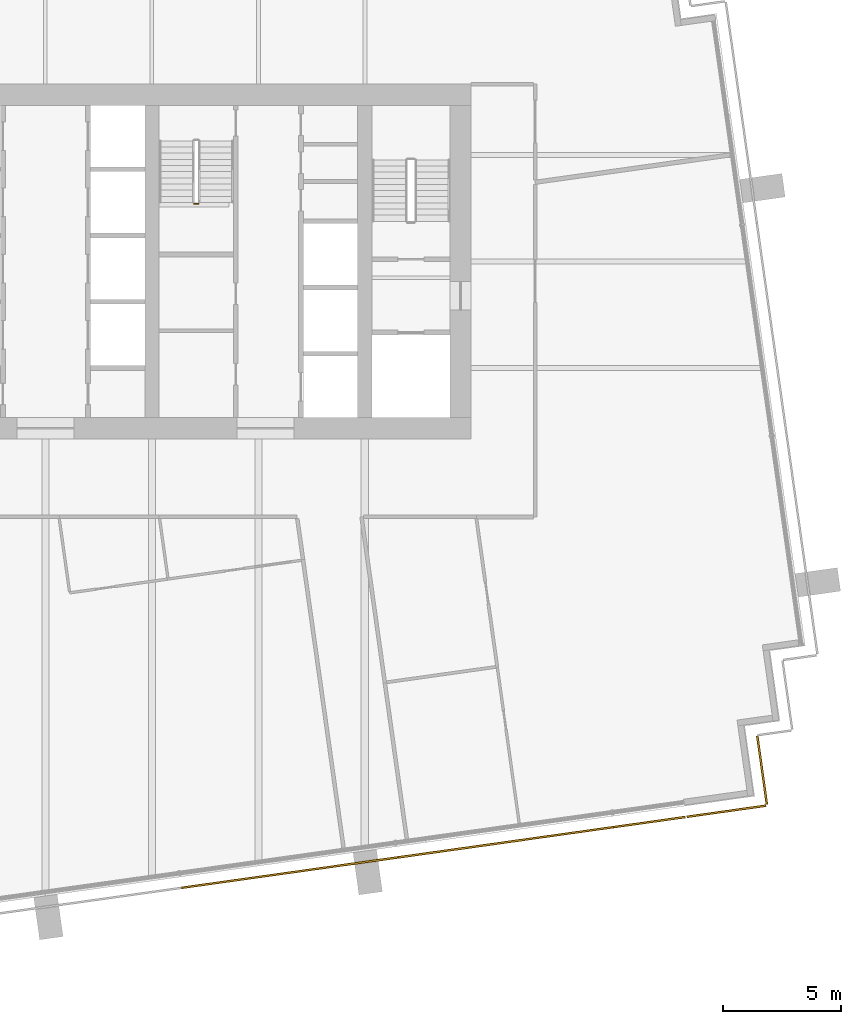
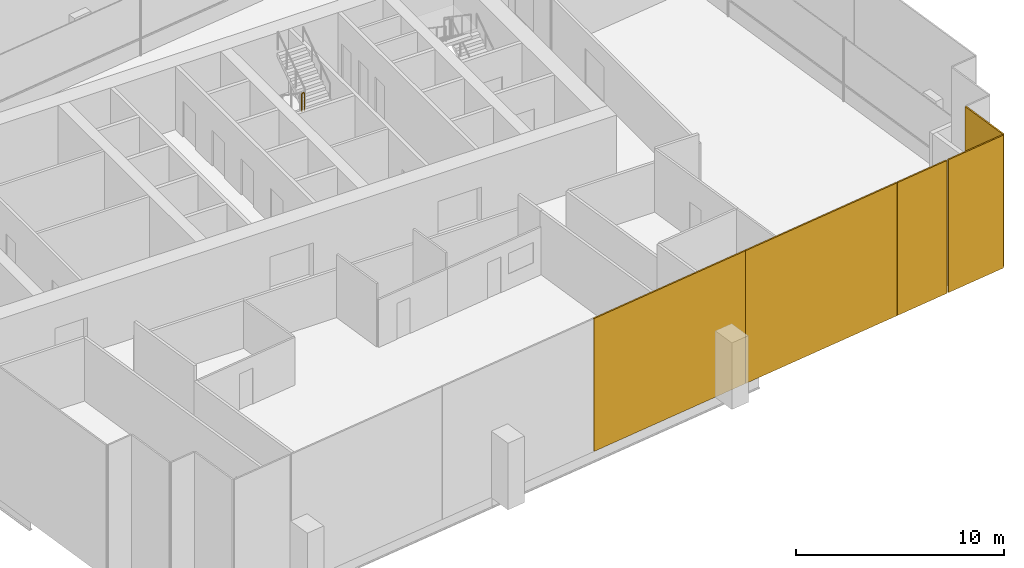
# One storey, part 14 of 17: 5 coverings, 1 railing.
"""IFC4 building model written with IfcOpenShell, lengths in metres."""

from ifc_helpers import new_model, si_unit, direction, frame, origin, origin_2d, place, context, subcontext, project, spatial, rectangle, extrude, material, layer, layer_set, type_object, element, save


model = new_model("IFC4")

# Units and contexts
model_context = context("Model", 3, precision=1e-05, world=origin(), true_north=direction((0.0, 1.0)))
body_context = subcontext(model_context, "Body", "Model", "MODEL_VIEW")
ifc_project = project(units=[si_unit("LENGTHUNIT", "METRE"), si_unit("AREAUNIT", "SQUARE_METRE"), si_unit("VOLUMEUNIT", "CUBIC_METRE"), si_unit("PLANEANGLEUNIT", "RADIAN"), si_unit("MASSUNIT", "GRAM", prefix="KILO")], contexts=[model_context])

# Site, building, storey
site_placement = place(None, origin())
site = spatial("IfcSite", under=ifc_project, at=site_placement, CompositionType="ELEMENT")
building_placement = place(site_placement, origin())
building = spatial("IfcBuilding", under=site, at=building_placement, Name="Rattan Terrace Tower", CompositionType="ELEMENT")
storey_placement = place(building_placement, frame((0.0, 0.0, 213.5)))
storey = spatial("IfcBuildingStorey", under=building, at=storey_placement, Name="L48", CompositionType="ELEMENT", Elevation=213.5)

# Railing
ifc_material_1 = material(Name="Powder-coated steel guard", Category="steel")
railing_type = type_object("IfcRailingType", Name="Core stair guard", PredefinedType="GUARDRAIL", material=ifc_material_1)
railing_placement = place(storey_placement, frame((6.300048828125, 2.449951171875, 1.949951171875)))
element("IfcRailing", 1, at=railing_placement, inside=storey, type_object=railing_type, Name="L48 S3 stair guard 2", PredefinedType="GUARDRAIL", context=body_context, shape_type="SweptSolid", body=[
    extrude(rectangle(XDim=0.048095703125, YDim=0.048095703125, at=origin_2d()), frame((0.0, 0.0, 1.076171875), z_axis=(1.0, 0.0, 0.0), x_axis=(0.0, 1.0, 0.0)), (0.0, 0.0, 1.0), 0.14990234375),
    extrude(rectangle(XDim=0.0419921875, YDim=0.0419921875, at=origin_2d()), origin(), (0.0, 0.0, 1.0), 1.052001953125),
    extrude(rectangle(XDim=0.0419921875, YDim=0.0419921875, at=origin_2d()), frame((0.14990234375, 0.0, 0.0)), (0.0, 0.0, 1.0), 1.052001953125),
])

# Coverings
ifc_material_2 = material(Name="Perforated terracotta", Category="masonry")
ifc_layer = layer(ifc_material_2, 0.080078125)
ifc_layer_set = layer_set([ifc_layer], Name="Facade Terracotta Screen Panel HZ")
covering_type = type_object("IfcCoveringType", Name="Facade Terracotta Screen Panel HZ", PredefinedType="CLADDING", material=ifc_layer_set)
covering_1_placement = place(storey_placement, frame((28.791259765625, -23.2421875, -0.18994140625), z_axis=(0.0, 0.0, 1.0), x_axis=(0.990247240581, 0.139321220646, 0.0)))
element("IfcCovering", 2, at=covering_1_placement, inside=storey, type_object=covering_type, Name="OUTER SKIN panel L48-1", PredefinedType="CLADDING", context=body_context, shape_type="SweptSolid", body=[
    extrude(rectangle(XDim=3.3701171875, YDim=0.080078125, at=origin_2d()), origin(), (0.0, 0.0, 1.0), 7.780029296875),
])
covering_2_placement = place(storey_placement, frame((30.299560546875, -21.505126953125, -0.18994140625), z_axis=(0.0, 0.0, 1.0), x_axis=(-0.138994363123, 0.990293172258, 0.0)))
element("IfcCovering", 3, at=covering_2_placement, inside=storey, type_object=covering_type, Name="OUTER SKIN panel L48-2", PredefinedType="CLADDING", context=body_context, shape_type="SweptSolid", body=[
    extrude(rectangle(XDim=2.919921875, YDim=0.080078125, at=origin_2d()), origin(), (0.0, 0.0, 1.0), 7.780029296875),
])
for number, where, z_axis, x_axis, name in (
    (4, (10.325927734375, -25.837646484375, -0.18994140625), (0.0, 0.0, 1.0), (0.990267457022, 0.139177453499, 0.0), "OUTER SKIN panel L48-34"),
    (5, (19.467041015625, -24.552978515625, -0.18994140625), (0.0, 0.0, 1.0), (0.990267457022, 0.139177453499, 0.0), "OUTER SKIN panel L48-35"),
):
    element("IfcCovering", number, at=place(storey_placement, frame(where, z_axis=z_axis, x_axis=x_axis)), inside=storey, type_object=covering_type, Name=name, PredefinedType="CLADDING", context=body_context, shape_type="SweptSolid", body=[
        extrude(rectangle(XDim=9.2109375, YDim=0.080078125, at=origin_2d()), origin(), (0.0, 0.0, 1.0), 7.780029296875),
    ])
covering_3_placement = place(storey_placement, frame((25.54541015625, -23.69873046875, -0.18994140625), z_axis=(0.0, 0.0, 1.0), x_axis=(0.990267457022, 0.139177453499, 0.0)))
element("IfcCovering", 6, at=covering_3_placement, inside=storey, type_object=covering_type, Name="OUTER SKIN panel L48-36", PredefinedType="CLADDING", context=body_context, shape_type="SweptSolid", body=[
    extrude(rectangle(XDim=3.025390625, YDim=0.080078125, at=origin_2d()), origin(), (0.0, 0.0, 1.0), 7.780029296875),
])

save(model, "model.ifc")
